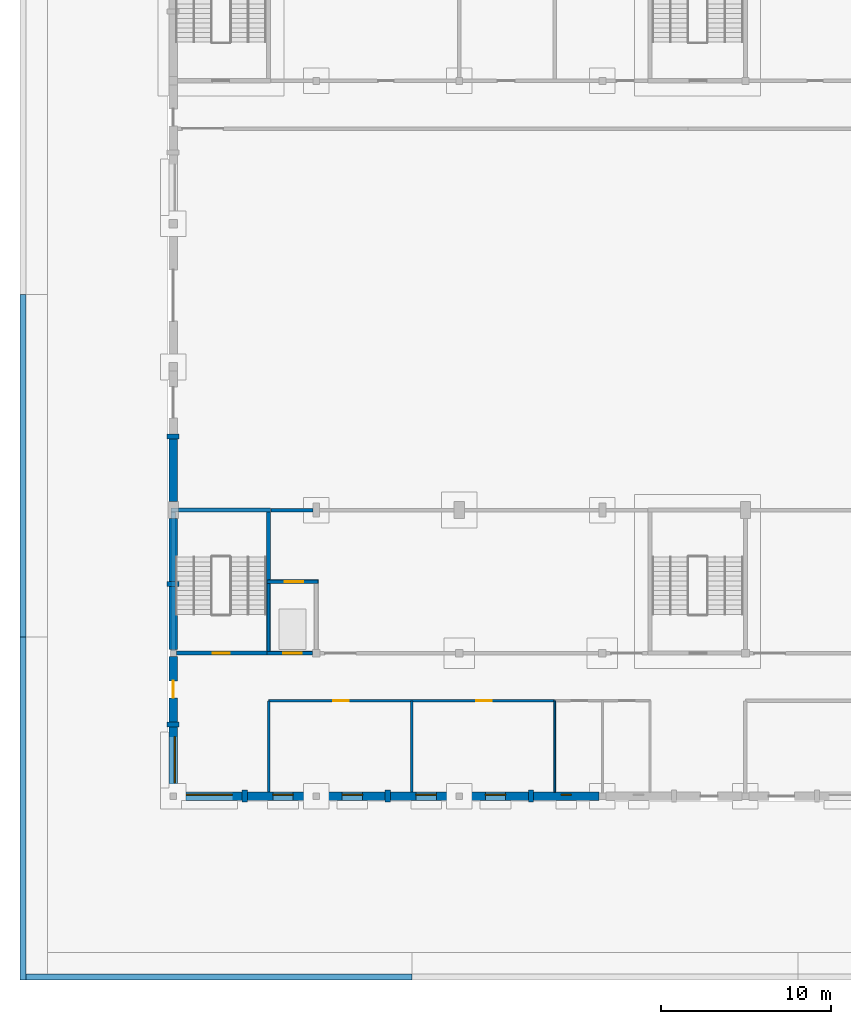
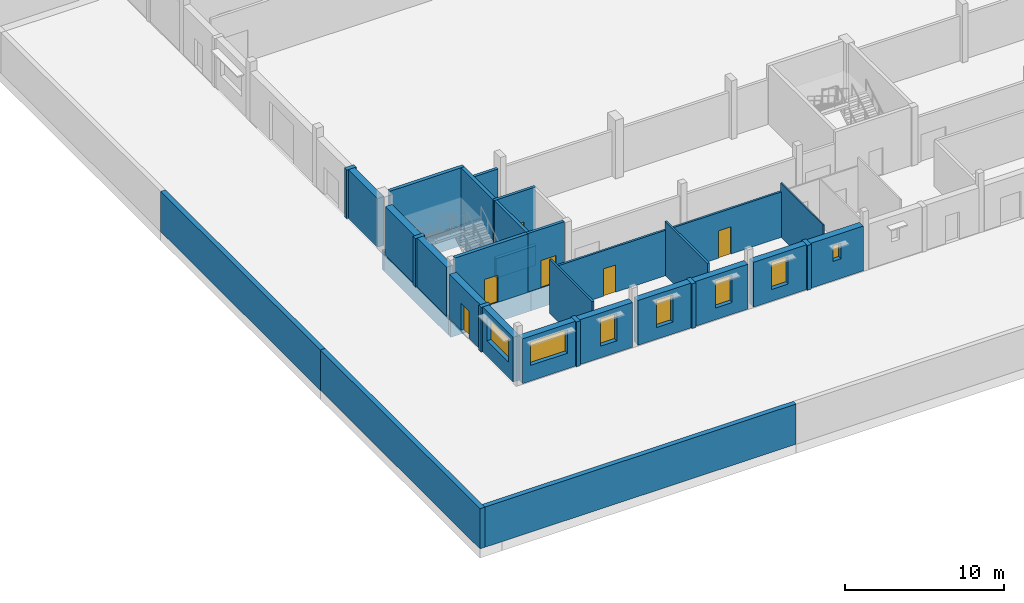
# One storey, part 16 of 36: 37 walls, 7 windows, 6 doors, 13 openings.
"""IFC4 building model written with IfcOpenShell, lengths in metres."""

from ifc_helpers import new_model, si_unit, direction, frame, frame_2d, origin, place, context, subcontext, project, spatial, rectangle, extrude, material, layer, layer_set, type_object, element, fill, save


model = new_model("IFC4")

# Units and contexts
model_context = context("Model", 3, precision=1e-05, world=origin(), true_north=direction((0.0, 1.0)))
body_context = subcontext(model_context, "Body", "Model", "MODEL_VIEW")
ifc_project = project(units=[si_unit("LENGTHUNIT", "METRE"), si_unit("AREAUNIT", "SQUARE_METRE"), si_unit("VOLUMEUNIT", "CUBIC_METRE"), si_unit("PLANEANGLEUNIT", "RADIAN"), si_unit("MASSUNIT", "GRAM", prefix="KILO")], contexts=[model_context])

# Site, building, storey
site_placement = place(None, origin())
site = spatial("IfcSite", under=ifc_project, at=site_placement, CompositionType="ELEMENT")
building_placement = place(site_placement, origin())
building = spatial("IfcBuilding", under=site, at=building_placement, Name="Fescue Hill Polytechnic", CompositionType="ELEMENT")
storey_placement = place(building_placement, origin())
storey = spatial("IfcBuildingStorey", under=building, at=storey_placement, Name="L00", CompositionType="ELEMENT", Elevation=0.0)

# Wall, opening, door
ifc_material_1 = material(Name="Concrete 40 MPa", Category="concrete")
ifc_layer_1 = layer(ifc_material_1, 0.25)
ifc_layer_set_1 = layer_set([ifc_layer_1], Name="Concrete 40 MPa")
wall_type_1 = type_object("IfcWallType", Name="Core wall 250", PredefinedType="SHEAR", material=ifc_layer_set_1)
wall_1_placement = place(storey_placement, frame((0.199951171875, 8.39990234375, 0.0), z_axis=(0.0, 0.0, 1.0), x_axis=(1.0, 0.0, 0.0)))
wall_1 = element("IfcWall", 1, at=wall_1_placement, inside=storey, type_object=wall_type_1, Name="CW-L00-ST-V1-1-11", PredefinedType="SHEAR", context=body_context, shape_type="SweptSolid", body=[
    extrude(rectangle(XDim=5.300048828125, YDim=0.25, at=frame_2d((2.64990234375, 0.0))), origin(), (0.0, 0.0, 1.0), 4.5),
])
opening_1_placement = place(wall_1_placement, frame((2.125, 0.0, 0.0)))
opening_1 = element("IfcOpeningElement", 2, at=opening_1_placement, cuts=wall_1, Name="Opening D0070", PredefinedType="OPENING", context=body_context, shape_type="SweptSolid", body=[
    extrude(rectangle(XDim=1.0, YDim=2.10009765625, at=frame_2d((0.5, 1.050048828125))), frame((0.0, 0.135009765625, 0.0), z_axis=(0.0, -1.0, 0.0), x_axis=(1.0, 0.0, 0.0)), (0.0, 0.0, 1.0), 0.27001953125),
])
ifc_material_2 = material(Name="Steel fire door", Category="steel")
door_type_1 = type_object("IfcDoorType", Name="Door single swing 1000x2100 stair fire rated", OperationType="NOTDEFINED", PredefinedType="DOOR", material=ifc_material_2)
door_1_placement = place(opening_1_placement, origin())
door_1 = element("IfcDoor", 3, at=door_1_placement, inside=storey, type_object=door_type_1, Name="L00 ST-V1-1 stair door", OperationType="SINGLE_SWING_RIGHT", OverallHeight=2.10009765625, OverallWidth=1.0, PredefinedType="DOOR", context=body_context, shape_type="SweptSolid", body=[
    extrude(rectangle(XDim=1.0, YDim=2.10009765625, at=frame_2d((0.5, 1.050048828125))), frame((0.0, 0.02490234375, 0.0), z_axis=(0.0, -1.0, 0.0), x_axis=(1.0, 0.0, 0.0)), (0.0, 0.0, 1.0), 0.050048828125),
])
fill(opening_1, door_1)

# Walls
wall_2_placement = place(storey_placement, frame((0.300048828125, 16.800048828125, 0.0), z_axis=(0.0, 0.0, 1.0), x_axis=(1.0, 0.0, 0.0)))
element("IfcWall", 4, at=wall_2_placement, inside=storey, type_object=wall_type_1, Name="CW-L00-ST-V1-1-21", PredefinedType="SHEAR", context=body_context, shape_type="SweptSolid", body=[
    extrude(rectangle(XDim=5.425048828125, YDim=0.25, at=frame_2d((2.71240234375, 0.0))), origin(), (0.0, 0.0, 1.0), 4.5),
])
wall_3_placement = place(storey_placement, frame((5.60009765625, 12.610107421875, 0.0), z_axis=(0.0, 0.0, 1.0), x_axis=(0.0, 1.0, 0.0)))
element("IfcWall", 5, at=wall_3_placement, inside=storey, type_object=wall_type_1, Name="CW-L00-ST-V1-1-41", PredefinedType="SHEAR", context=body_context, shape_type="SweptSolid", body=[
    extrude(rectangle(XDim=4.06494140625, YDim=0.25, at=frame_2d((2.032470703125, 0.0))), origin(), (0.0, 0.0, 1.0), 4.5),
])
for number, where, z_axis, x_axis, name in (
    (6, (-0.125, 8.39990234375, -1.5), (0.0, 0.0, 1.0), (1.0, 0.0, 0.0), "FW-ST-V1-1-1"),
    (7, (-0.125, 16.800048828125, -1.5), (0.0, 0.0, 1.0), (1.0, 0.0, 0.0), "FW-ST-V1-1-2"),
):
    element("IfcWall", number, at=place(storey_placement, frame(where, z_axis=z_axis, x_axis=x_axis)), inside=storey, type_object=wall_type_1, Name=name, PredefinedType="SHEAR", context=body_context, shape_type="SweptSolid", body=[
        extrude(rectangle(XDim=5.85009765625, YDim=0.25, at=frame_2d((2.925048828125, 0.0))), origin(), (0.0, 0.0, 1.0), 1.5),
    ])
for number, where, z_axis, x_axis, name in (
    (8, (0.0, 8.52490234375, -1.5), (0.0, 0.0, 1.0), (0.0, 1.0, 0.0), "FW-ST-V1-1-3"),
    (9, (5.60009765625, 8.52490234375, -1.5), (0.0, 0.0, 1.0), (0.0, 1.0, 0.0), "FW-ST-V1-1-4"),
):
    element("IfcWall", number, at=place(storey_placement, frame(where, z_axis=z_axis, x_axis=x_axis)), inside=storey, type_object=wall_type_1, Name=name, PredefinedType="SHEAR", context=body_context, shape_type="SweptSolid", body=[
        extrude(rectangle(XDim=8.150146484375, YDim=0.25, at=frame_2d((4.0751953125, 0.0))), origin(), (0.0, 0.0, 1.0), 1.5),
    ])

# Wall, openings, doors
ifc_material_3 = material(Name="Gypsum board partition")
ifc_layer_2 = layer(ifc_material_3, 0.14990234375)
ifc_layer_set_2 = layer_set([ifc_layer_2], Name="Gypsum board partition")
wall_type_2 = type_object("IfcWallType", Name="Corridor wall 150 EI 45", PredefinedType="PARTITIONING", material=ifc_layer_set_2)
wall_4_placement = place(storey_placement, frame((5.60009765625, 5.60009765625, 0.0), z_axis=(0.0, 0.0, 1.0), x_axis=(1.0, 0.0, 0.0)))
wall_4 = element("IfcWall", 10, at=wall_4_placement, inside=storey, type_object=wall_type_2, Name="IW-L00-002", PredefinedType="PARTITIONING", context=body_context, shape_type="SweptSolid", body=[
    extrude(rectangle(XDim=16.7998046875, YDim=0.14990234375, at=frame_2d((8.39990234375, 0.0))), origin(), (0.0, 0.0, 1.0), 3.5),
])
opening_2_placement = place(wall_4_placement, frame((3.800048828125, 0.0, 0.0)))
opening_2 = element("IfcOpeningElement", 11, at=opening_2_placement, cuts=wall_4, Name="Opening D0027", PredefinedType="OPENING", context=body_context, shape_type="SweptSolid", body=[
    extrude(rectangle(XDim=0.89990234375, YDim=2.10009765625, at=frame_2d((0.449951171875, 1.050048828125))), frame((0.0, 0.0849609375, 0.0), z_axis=(0.0, -1.0, 0.0), x_axis=(1.0, 0.0, 0.0)), (0.0, 0.0, 1.0), 0.169921875),
])
opening_3_placement = place(wall_4_placement, frame((12.199951171875, 0.0, 0.0)))
opening_3 = element("IfcOpeningElement", 12, at=opening_3_placement, cuts=wall_4, Name="Opening D0028", PredefinedType="OPENING", context=body_context, shape_type="SweptSolid", body=[
    extrude(rectangle(XDim=0.89990234375, YDim=2.10009765625, at=frame_2d((0.449951171875, 1.050048828125))), frame((0.0, 0.0849609375, 0.0), z_axis=(0.0, -1.0, 0.0), x_axis=(1.0, 0.0, 0.0)), (0.0, 0.0, 1.0), 0.169921875),
])
ifc_material_4 = material(Name="Timber", Category="wood")
door_type_2 = type_object("IfcDoorType", Name="Door single swing 900x2100 FD30S", OperationType="SINGLE_SWING_LEFT", PredefinedType="DOOR", material=ifc_material_4)
door_2_placement = place(opening_2_placement, origin())
door_2 = element("IfcDoor", 13, at=door_2_placement, inside=storey, type_object=door_type_2, Name="Door D0027", OperationType="SINGLE_SWING_LEFT", OverallHeight=2.10009765625, OverallWidth=0.89990234375, PredefinedType="DOOR", context=body_context, shape_type="SweptSolid", body=[
    extrude(rectangle(XDim=0.89990234375, YDim=2.10009765625, at=frame_2d((0.449951171875, 1.050048828125))), frame((0.0, 0.02490234375, 0.0), z_axis=(0.0, -1.0, 0.0), x_axis=(1.0, 0.0, 0.0)), (0.0, 0.0, 1.0), 0.050048828125),
])
fill(opening_2, door_2)
door_3_placement = place(opening_3_placement, origin())
door_3 = element("IfcDoor", 14, at=door_3_placement, inside=storey, type_object=door_type_2, Name="Door D0028", OperationType="SINGLE_SWING_RIGHT", OverallHeight=2.10009765625, OverallWidth=0.89990234375, PredefinedType="DOOR", context=body_context, shape_type="SweptSolid", body=[
    extrude(rectangle(XDim=0.89990234375, YDim=2.10009765625, at=frame_2d((0.449951171875, 1.050048828125))), frame((0.0, 0.02490234375, 0.0), z_axis=(0.0, -1.0, 0.0), x_axis=(1.0, 0.0, 0.0)), (0.0, 0.0, 1.0), 0.050048828125),
])
fill(opening_3, door_3)

# Walls
wall_5_placement = place(storey_placement, frame((5.60009765625, 0.239990234375, 0.0), z_axis=(0.0, 0.0, 1.0), x_axis=(0.0, 1.0, 0.0)))
element("IfcWall", 15, at=wall_5_placement, inside=storey, type_object=wall_type_2, Name="IW-L00-069", PredefinedType="PARTITIONING", context=body_context, shape_type="SweptSolid", body=[
    extrude(rectangle(XDim=5.360107421875, YDim=0.14990234375, at=frame_2d((2.68017578125, 0.0))), origin(), (0.0, 0.0, 1.0), 4.14990234375),
])
ifc_material_5 = material(Name="Clay brick masonry", Category="masonry")
ifc_layer_3 = layer(ifc_material_5, 0.47998046875)
ifc_layer_set_3 = layer_set([ifc_layer_3], Name="Clay brick masonry")
wall_type_3 = type_object("IfcWallType", Name="Exterior wall engineering brick cavity 480", PredefinedType="SOLIDWALL", material=ifc_layer_set_3)
wall_6_placement = place(storey_placement, frame((0.0, 20.97509765625, 0.0), z_axis=(0.0, 0.0, 1.0), x_axis=(0.0, -1.0, 0.0)))
element("IfcWall", 16, at=wall_6_placement, inside=storey, type_object=wall_type_3, Name="EW-L00-V1-18", PredefinedType="SOLIDWALL", context=body_context, shape_type="SweptSolid", body=[
    extrude(rectangle(XDim=3.675048828125, YDim=0.47998046875, at=frame_2d((1.83740234375, 0.0))), origin(), (0.0, 0.0, 1.0), 3.75),
])

# Wall, opening, door
wall_7_placement = place(storey_placement, frame((0.0, 8.199951171875, 0.0), z_axis=(0.0, 0.0, 1.0), x_axis=(0.0, -1.0, 0.0)))
wall_7 = element("IfcWall", 17, at=wall_7_placement, inside=storey, type_object=wall_type_3, Name="EW-L00-V1-21", PredefinedType="SOLIDWALL", context=body_context, shape_type="SweptSolid", body=[
    extrude(rectangle(XDim=3.849853515625, YDim=0.47998046875, at=frame_2d((1.9248046875, 0.0))), origin(), (0.0, 0.0, 1.0), 3.449951171875),
])
opening_4_placement = place(wall_7_placement, frame((2.425048828125, 0.0, 0.0), z_axis=(0.0, 0.0, 1.0), x_axis=(-1.0, 0.0, 0.0)))
opening_4 = element("IfcOpeningElement", 18, at=opening_4_placement, cuts=wall_7, Name="Opening D0008", PredefinedType="OPENING", context=body_context, shape_type="SweptSolid", body=[
    extrude(rectangle(XDim=1.0, YDim=2.10009765625, at=frame_2d((0.5, 1.050048828125))), frame((0.0, 0.25, 0.0), z_axis=(0.0, -1.0, 0.0), x_axis=(1.0, 0.0, 0.0)), (0.0, 0.0, 1.0), 0.5),
])
ifc_material_6 = material(Name="Hollow metal")
door_type_3 = type_object("IfcDoorType", Name="Door exit single 1000x2100 fire rated", OperationType="SINGLE_SWING_LEFT", PredefinedType="DOOR", material=ifc_material_6)
door_4_placement = place(opening_4_placement, origin())
door_4 = element("IfcDoor", 19, at=door_4_placement, inside=storey, type_object=door_type_3, Name="Door D0008", OperationType="SINGLE_SWING_LEFT", OverallHeight=2.10009765625, OverallWidth=1.0, PredefinedType="DOOR", context=body_context, shape_type="SweptSolid", body=[
    extrude(rectangle(XDim=1.0, YDim=2.10009765625, at=frame_2d((0.5, 1.050048828125))), frame((0.0, 0.02490234375, 0.0), z_axis=(0.0, -1.0, 0.0), x_axis=(1.0, 0.0, 0.0)), (0.0, 0.0, 1.0), 0.050048828125),
])
fill(opening_4, door_4)

# Wall, opening, window
wall_8_placement = place(storey_placement, frame((0.0, 4.050048828125, 0.0), z_axis=(0.0, 0.0, 1.0), x_axis=(0.0, -1.0, 0.0)))
wall_8 = element("IfcWall", 20, at=wall_8_placement, inside=storey, type_object=wall_type_3, Name="EW-L00-V1-22", PredefinedType="SOLIDWALL", context=body_context, shape_type="SweptSolid", body=[
    extrude(rectangle(XDim=3.85009765625, YDim=0.47998046875, at=frame_2d((1.925048828125, 0.0))), origin(), (0.0, 0.0, 1.0), 3.449951171875),
])
opening_5_placement = place(wall_8_placement, frame((0.574951171875, 0.0, 1.199951171875)))
opening_5 = element("IfcOpeningElement", 21, at=opening_5_placement, cuts=wall_8, Name="Opening W15", PredefinedType="OPENING", context=body_context, shape_type="SweptSolid", body=[
    extrude(rectangle(XDim=2.699951171875, YDim=1.800048828125, at=frame_2d((1.35009765625, 0.89990234375))), frame((0.0, 0.25, 0.0), z_axis=(0.0, -1.0, 0.0), x_axis=(1.0, 0.0, 0.0)), (0.0, 0.0, 1.0), 0.5),
])
ifc_material_7 = material(Name="Powder-coated aluminium and glass", Category="aluminium")
window_type_1 = type_object("IfcWindowType", Name="Window workshop bench-level 2700x1800", PartitioningType="TRIPLE_PANEL_VERTICAL", PredefinedType="WINDOW", material=ifc_material_7)
window_1_placement = place(opening_5_placement, origin())
window_1 = element("IfcWindow", 22, at=window_1_placement, inside=storey, type_object=window_type_1, Name="WN-L00-V1-5", OverallHeight=1.800048828125, OverallWidth=2.699951171875, PartitioningType="SINGLE_PANEL", PredefinedType="WINDOW", context=body_context, shape_type="SweptSolid", body=[
    extrude(rectangle(XDim=2.699951171875, YDim=1.800048828125, at=frame_2d((1.35009765625, 0.89990234375))), frame((0.0, 0.1201171875, 0.0), z_axis=(0.0, -1.0, 0.0), x_axis=(1.0, 0.0, 0.0)), (0.0, 0.0, 1.0), 0.06005859375),
])
fill(opening_5, window_1)

wall_9_placement = place(storey_placement, frame((0.199951171875, 0.0, 0.0), z_axis=(0.0, 0.0, 1.0), x_axis=(1.0, 0.0, 0.0)))
wall_9 = element("IfcWall", 23, at=wall_9_placement, inside=storey, type_object=wall_type_3, Name="EW-L00-V1-23", PredefinedType="SOLIDWALL", context=body_context, shape_type="SweptSolid", body=[
    extrude(rectangle(XDim=3.85009765625, YDim=0.47998046875, at=frame_2d((1.925048828125, 0.0))), origin(), (0.0, 0.0, 1.0), 3.449951171875),
])
opening_6_placement = place(wall_9_placement, frame((0.574951171875, 0.0, 1.199951171875)))
opening_6 = element("IfcOpeningElement", 24, at=opening_6_placement, cuts=wall_9, Name="Opening W15", PredefinedType="OPENING", context=body_context, shape_type="SweptSolid", body=[
    extrude(rectangle(XDim=2.699951171875, YDim=1.800048828125, at=frame_2d((1.35009765625, 0.89990234375))), frame((0.0, 0.25, 0.0), z_axis=(0.0, -1.0, 0.0), x_axis=(1.0, 0.0, 0.0)), (0.0, 0.0, 1.0), 0.5),
])
window_2_placement = place(opening_6_placement, origin())
window_2 = element("IfcWindow", 25, at=window_2_placement, inside=storey, type_object=window_type_1, Name="WN-L00-V1-6", OverallHeight=1.800048828125, OverallWidth=2.699951171875, PartitioningType="SINGLE_PANEL", PredefinedType="WINDOW", context=body_context, shape_type="SweptSolid", body=[
    extrude(rectangle(XDim=2.699951171875, YDim=1.800048828125, at=frame_2d((1.35009765625, 0.89990234375))), frame((0.0, 0.1201171875, 0.0), z_axis=(0.0, -1.0, 0.0), x_axis=(1.0, 0.0, 0.0)), (0.0, 0.0, 1.0), 0.06005859375),
])
fill(opening_6, window_2)

wall_10_placement = place(storey_placement, frame((4.35009765625, 0.0, 0.0), z_axis=(0.0, 0.0, 1.0), x_axis=(1.0, 0.0, 0.0)))
wall_10 = element("IfcWall", 26, at=wall_10_placement, inside=storey, type_object=wall_type_3, Name="EW-L00-V1-24", PredefinedType="SOLIDWALL", context=body_context, shape_type="SweptSolid", body=[
    extrude(rectangle(XDim=3.849853515625, YDim=0.47998046875, at=frame_2d((1.9248046875, 0.0))), origin(), (0.0, 0.0, 1.0), 3.449951171875),
])
opening_7_placement = place(wall_10_placement, frame((1.5, 0.0, 0.89990234375)))
opening_7 = element("IfcOpeningElement", 27, at=opening_7_placement, cuts=wall_10, Name="Opening W13", PredefinedType="OPENING", context=body_context, shape_type="SweptSolid", body=[
    extrude(rectangle(XDim=1.199951171875, YDim=2.10009765625, at=frame_2d((0.60009765625, 1.050048828125))), frame((0.0, 0.25, 0.0), z_axis=(0.0, -1.0, 0.0), x_axis=(1.0, 0.0, 0.0)), (0.0, 0.0, 1.0), 0.5),
])
window_type_2 = type_object("IfcWindowType", Name="Window cellular office 1200x2100", PartitioningType="SINGLE_PANEL", PredefinedType="WINDOW", material=ifc_material_7)
window_3_placement = place(opening_7_placement, origin())
window_3 = element("IfcWindow", 28, at=window_3_placement, inside=storey, type_object=window_type_2, Name="WN-L00-V1-7", OverallHeight=2.10009765625, OverallWidth=1.199951171875, PartitioningType="SINGLE_PANEL", PredefinedType="WINDOW", context=body_context, shape_type="SweptSolid", body=[
    extrude(rectangle(XDim=1.199951171875, YDim=2.10009765625, at=frame_2d((0.60009765625, 1.050048828125))), frame((0.0, 0.1201171875, 0.0), z_axis=(0.0, -1.0, 0.0), x_axis=(1.0, 0.0, 0.0)), (0.0, 0.0, 1.0), 0.06005859375),
])
fill(opening_7, window_3)

wall_11_placement = place(storey_placement, frame((8.60009765625, 0.0, 0.0), z_axis=(0.0, 0.0, 1.0), x_axis=(1.0, 0.0, 0.0)))
wall_11 = element("IfcWall", 29, at=wall_11_placement, inside=storey, type_object=wall_type_3, Name="EW-L00-V1-25", PredefinedType="SOLIDWALL", context=body_context, shape_type="SweptSolid", body=[
    extrude(rectangle(XDim=3.849853515625, YDim=0.47998046875, at=frame_2d((1.9248046875, 0.0))), origin(), (0.0, 0.0, 1.0), 3.449951171875),
])
opening_8_placement = place(wall_11_placement, frame((1.324951171875, 0.0, 0.89990234375)))
opening_8 = element("IfcOpeningElement", 30, at=opening_8_placement, cuts=wall_11, Name="Opening W13", PredefinedType="OPENING", context=body_context, shape_type="SweptSolid", body=[
    extrude(rectangle(XDim=1.199951171875, YDim=2.10009765625, at=frame_2d((0.60009765625, 1.050048828125))), frame((0.0, 0.25, 0.0), z_axis=(0.0, -1.0, 0.0), x_axis=(1.0, 0.0, 0.0)), (0.0, 0.0, 1.0), 0.5),
])
window_4_placement = place(opening_8_placement, origin())
window_4 = element("IfcWindow", 31, at=window_4_placement, inside=storey, type_object=window_type_2, Name="WN-L00-V1-8", OverallHeight=2.10009765625, OverallWidth=1.199951171875, PartitioningType="SINGLE_PANEL", PredefinedType="WINDOW", context=body_context, shape_type="SweptSolid", body=[
    extrude(rectangle(XDim=1.199951171875, YDim=2.10009765625, at=frame_2d((0.60009765625, 1.050048828125))), frame((0.0, 0.1201171875, 0.0), z_axis=(0.0, -1.0, 0.0), x_axis=(1.0, 0.0, 0.0)), (0.0, 0.0, 1.0), 0.06005859375),
])
fill(opening_8, window_4)

wall_12_placement = place(storey_placement, frame((12.75, 0.0, 0.0), z_axis=(0.0, 0.0, 1.0), x_axis=(1.0, 0.0, 0.0)))
wall_12 = element("IfcWall", 32, at=wall_12_placement, inside=storey, type_object=wall_type_3, Name="EW-L00-V1-26", PredefinedType="SOLIDWALL", context=body_context, shape_type="SweptSolid", body=[
    extrude(rectangle(XDim=3.85009765625, YDim=0.47998046875, at=frame_2d((1.925048828125, 0.0))), origin(), (0.0, 0.0, 1.0), 3.449951171875),
])
opening_9_placement = place(wall_12_placement, frame((1.5, 0.0, 0.89990234375)))
opening_9 = element("IfcOpeningElement", 33, at=opening_9_placement, cuts=wall_12, Name="Opening W13", PredefinedType="OPENING", context=body_context, shape_type="SweptSolid", body=[
    extrude(rectangle(XDim=1.199951171875, YDim=2.10009765625, at=frame_2d((0.60009765625, 1.050048828125))), frame((0.0, 0.25, 0.0), z_axis=(0.0, -1.0, 0.0), x_axis=(1.0, 0.0, 0.0)), (0.0, 0.0, 1.0), 0.5),
])
window_5_placement = place(opening_9_placement, origin())
window_5 = element("IfcWindow", 34, at=window_5_placement, inside=storey, type_object=window_type_2, Name="WN-L00-V1-9", OverallHeight=2.10009765625, OverallWidth=1.199951171875, PartitioningType="SINGLE_PANEL", PredefinedType="WINDOW", context=body_context, shape_type="SweptSolid", body=[
    extrude(rectangle(XDim=1.199951171875, YDim=2.10009765625, at=frame_2d((0.60009765625, 1.050048828125))), frame((0.0, 0.1201171875, 0.0), z_axis=(0.0, -1.0, 0.0), x_axis=(1.0, 0.0, 0.0)), (0.0, 0.0, 1.0), 0.06005859375),
])
fill(opening_9, window_5)

wall_13_placement = place(storey_placement, frame((17.0, 0.0, 0.0), z_axis=(0.0, 0.0, 1.0), x_axis=(1.0, 0.0, 0.0)))
wall_13 = element("IfcWall", 35, at=wall_13_placement, inside=storey, type_object=wall_type_3, Name="EW-L00-V1-27", PredefinedType="SOLIDWALL", context=body_context, shape_type="SweptSolid", body=[
    extrude(rectangle(XDim=3.85009765625, YDim=0.47998046875, at=frame_2d((1.925048828125, 0.0))), origin(), (0.0, 0.0, 1.0), 3.449951171875),
])
opening_10_placement = place(wall_13_placement, frame((1.324951171875, 0.0, 0.89990234375)))
opening_10 = element("IfcOpeningElement", 36, at=opening_10_placement, cuts=wall_13, Name="Opening W13", PredefinedType="OPENING", context=body_context, shape_type="SweptSolid", body=[
    extrude(rectangle(XDim=1.199951171875, YDim=2.10009765625, at=frame_2d((0.60009765625, 1.050048828125))), frame((0.0, 0.25, 0.0), z_axis=(0.0, -1.0, 0.0), x_axis=(1.0, 0.0, 0.0)), (0.0, 0.0, 1.0), 0.5),
])
window_6_placement = place(opening_10_placement, origin())
window_6 = element("IfcWindow", 37, at=window_6_placement, inside=storey, type_object=window_type_2, Name="WN-L00-V1-10", OverallHeight=2.10009765625, OverallWidth=1.199951171875, PartitioningType="SINGLE_PANEL", PredefinedType="WINDOW", context=body_context, shape_type="SweptSolid", body=[
    extrude(rectangle(XDim=1.199951171875, YDim=2.10009765625, at=frame_2d((0.60009765625, 1.050048828125))), frame((0.0, 0.1201171875, 0.0), z_axis=(0.0, -1.0, 0.0), x_axis=(1.0, 0.0, 0.0)), (0.0, 0.0, 1.0), 0.06005859375),
])
fill(opening_10, window_6)

wall_14_placement = place(storey_placement, frame((21.14990234375, 0.0, 0.0), z_axis=(0.0, 0.0, 1.0), x_axis=(1.0, 0.0, 0.0)))
wall_14 = element("IfcWall", 38, at=wall_14_placement, inside=storey, type_object=wall_type_3, Name="EW-L00-V1-28", PredefinedType="SOLIDWALL", context=body_context, shape_type="SweptSolid", body=[
    extrude(rectangle(XDim=3.85009765625, YDim=0.47998046875, at=frame_2d((1.925048828125, 0.0))), origin(), (0.0, 0.0, 1.0), 3.449951171875),
])
opening_11_placement = place(wall_14_placement, frame((1.625, 0.0, 1.5)))
opening_11 = element("IfcOpeningElement", 39, at=opening_11_placement, cuts=wall_14, Name="Opening W11", PredefinedType="OPENING", context=body_context, shape_type="SweptSolid", body=[
    extrude(rectangle(XDim=0.60009765625, YDim=1.199951171875, at=frame_2d((0.300048828125, 0.60009765625))), frame((0.0, 0.25, 0.0), z_axis=(0.0, -1.0, 0.0), x_axis=(1.0, 0.0, 0.0)), (0.0, 0.0, 1.0), 0.5),
])
window_type_3 = type_object("IfcWindowType", Name="Window WC high-level 600x1200", PartitioningType="SINGLE_PANEL", PredefinedType="WINDOW", material=ifc_material_7)
window_7_placement = place(opening_11_placement, origin())
window_7 = element("IfcWindow", 40, at=window_7_placement, inside=storey, type_object=window_type_3, Name="WN-L00-V1-11", OverallHeight=1.199951171875, OverallWidth=0.60009765625, PartitioningType="SINGLE_PANEL", PredefinedType="WINDOW", context=body_context, shape_type="SweptSolid", body=[
    extrude(rectangle(XDim=0.60009765625, YDim=1.199951171875, at=frame_2d((0.300048828125, 0.60009765625))), frame((0.0, 0.1201171875, 0.0), z_axis=(0.0, -1.0, 0.0), x_axis=(1.0, 0.0, 0.0)), (0.0, 0.0, 1.0), 0.06005859375),
])
fill(opening_11, window_7)

# Walls
ifc_layer_4 = layer(ifc_material_5, 0.47998046875)
ifc_layer_set_4 = layer_set([ifc_layer_4], Name="Clay brick masonry")
wall_type_4 = type_object("IfcWallType", Name="Exterior wall engineering brick cavity 480 load-bearing", PredefinedType="SOLIDWALL", material=ifc_layer_set_4)
for number, where, z_axis, x_axis, name in (
    (41, (0.0, 16.300048828125, 0.0), (0.0, 0.0, 1.0), (0.0, -1.0, 0.0), "EW-L00-V1-19"),
    (42, (0.0, 12.300048828125, 0.0), (0.0, 0.0, 1.0), (0.0, -1.0, 0.0), "EW-L00-V1-20"),
):
    element("IfcWall", number, at=place(storey_placement, frame(where, z_axis=z_axis, x_axis=x_axis)), inside=storey, type_object=wall_type_4, Name=name, PredefinedType="SOLIDWALL", context=body_context, shape_type="SweptSolid", body=[
        extrude(rectangle(XDim=3.699951171875, YDim=0.47998046875, at=frame_2d((1.85009765625, 0.0))), origin(), (0.0, 0.0, 1.0), 3.75),
    ])
ifc_layer_5 = layer(ifc_material_1, 0.699951171875)
ifc_layer_set_5 = layer_set([ifc_layer_5], Name="Concrete 40 MPa")
wall_type_5 = type_object("IfcWallType", Name="Fin wall board-marked 300x700", PredefinedType="SOLIDWALL", material=ifc_layer_set_5)
wall_15_placement = place(storey_placement, frame((0.0, 21.27490234375, 0.0), z_axis=(0.0, 0.0, 1.0), x_axis=(0.0, -1.0, 0.0)))
element("IfcWall", 43, at=wall_15_placement, inside=storey, type_object=wall_type_5, Name="PR-L00-V1-8", PredefinedType="SOLIDWALL", context=body_context, shape_type="SweptSolid", body=[
    extrude(rectangle(XDim=0.2998046875, YDim=0.699951171875, at=frame_2d((0.14990234375, 0.0))), origin(), (0.0, 0.0, 1.0), 3.75),
])
for number, where, z_axis, x_axis, name in (
    (44, (0.0, 4.35009765625, 0.0), (0.0, 0.0, 1.0), (0.0, -1.0, 0.0), "PR-L00-V1-10"),
    (45, (4.050048828125, 0.0, 0.0), (0.0, 0.0, 1.0), (1.0, 0.0, 0.0), "PR-L00-V1-11"),
    (46, (12.449951171875, 0.0, 0.0), (0.0, 0.0, 1.0), (1.0, 0.0, 0.0), "PR-L00-V1-12"),
):
    element("IfcWall", number, at=place(storey_placement, frame(where, z_axis=z_axis, x_axis=x_axis)), inside=storey, type_object=wall_type_5, Name=name, PredefinedType="SOLIDWALL", context=body_context, shape_type="SweptSolid", body=[
        extrude(rectangle(XDim=0.300048828125, YDim=0.699951171875, at=frame_2d((0.14990234375, 0.0))), origin(), (0.0, 0.0, 1.0), 3.449951171875),
    ])
wall_16_placement = place(storey_placement, frame((20.85009765625, 0.0, 0.0), z_axis=(0.0, 0.0, 1.0), x_axis=(1.0, 0.0, 0.0)))
element("IfcWall", 47, at=wall_16_placement, inside=storey, type_object=wall_type_5, Name="PR-L00-V1-13", PredefinedType="SOLIDWALL", context=body_context, shape_type="SweptSolid", body=[
    extrude(rectangle(XDim=0.2998046875, YDim=0.699951171875, at=frame_2d((0.14990234375, 0.0))), origin(), (0.0, 0.0, 1.0), 3.449951171875),
])
ifc_layer_6 = layer(ifc_material_1, 0.699951171875)
ifc_layer_set_6 = layer_set([ifc_layer_6], Name="Concrete 40 MPa")
wall_type_6 = type_object("IfcWallType", Name="Fin wall board-marked 300x700 load-bearing", PredefinedType="SOLIDWALL", material=ifc_layer_set_6)
wall_17_placement = place(storey_placement, frame((0.0, 12.60009765625, 0.0), z_axis=(0.0, 0.0, 1.0), x_axis=(0.0, -1.0, 0.0)))
element("IfcWall", 48, at=wall_17_placement, inside=storey, type_object=wall_type_6, Name="PR-L00-V1-9", PredefinedType="SOLIDWALL", context=body_context, shape_type="SweptSolid", body=[
    extrude(rectangle(XDim=0.300048828125, YDim=0.699951171875, at=frame_2d((0.14990234375, 0.0))), origin(), (0.0, 0.0, 1.0), 3.75),
])
ifc_layer_7 = layer(ifc_material_1, 0.25)
ifc_layer_set_7 = layer_set([ifc_layer_7], Name="Concrete 40 MPa")
wall_type_7 = type_object("IfcWallType", Name="Lift pit wall 250", PredefinedType="SHEAR", material=ifc_layer_set_7)
wall_18_placement = place(storey_placement, frame((5.72509765625, 8.39990234375, -1.5), z_axis=(0.0, 0.0, 1.0), x_axis=(1.0, 0.0, 0.0)))
element("IfcWall", 49, at=wall_18_placement, inside=storey, type_object=wall_type_7, Name="PW-L00-LF-V1-1-1", PredefinedType="SHEAR", context=body_context, shape_type="SweptSolid", body=[
    extrude(rectangle(XDim=2.7998046875, YDim=0.25, at=frame_2d((1.39990234375, 0.0))), origin(), (0.0, 0.0, 1.0), 1.5),
])
wall_19_placement = place(storey_placement, frame((5.610107421875, 12.60009765625, -1.5), z_axis=(0.0, 0.0, 1.0), x_axis=(1.0, 0.0, 0.0)))
element("IfcWall", 50, at=wall_19_placement, inside=storey, type_object=wall_type_7, Name="PW-L00-LF-V1-1-2", PredefinedType="SHEAR", context=body_context, shape_type="SweptSolid", body=[
    extrude(rectangle(XDim=2.914794921875, YDim=0.25, at=frame_2d((1.45751953125, 0.0))), origin(), (0.0, 0.0, 1.0), 1.5),
])

# Wall, opening, door
ifc_layer_8 = layer(ifc_material_1, 0.199951171875)
ifc_layer_set_8 = layer_set([ifc_layer_8], Name="Concrete 40 MPa")
wall_type_8 = type_object("IfcWallType", Name="Lift shaft wall 200", PredefinedType="SHEAR", material=ifc_layer_set_8)
wall_20_placement = place(storey_placement, frame((5.5, 8.39990234375, 0.0), z_axis=(0.0, 0.0, 1.0), x_axis=(1.0, 0.0, 0.0)))
wall_20 = element("IfcWall", 51, at=wall_20_placement, inside=storey, type_object=wall_type_8, Name="CW-L00-LF-V1-1-11", PredefinedType="SHEAR", context=body_context, shape_type="SweptSolid", body=[
    extrude(rectangle(XDim=2.675048828125, YDim=0.199951171875, at=frame_2d((1.33740234375, 0.0))), origin(), (0.0, 0.0, 1.0), 4.5),
])
opening_12_placement = place(wall_20_placement, frame((0.949951171875, 0.0, 0.0)))
opening_12 = element("IfcOpeningElement", 52, at=opening_12_placement, cuts=wall_20, Name="Opening LD1-L00", PredefinedType="OPENING", context=body_context, shape_type="SweptSolid", body=[
    extrude(rectangle(XDim=1.10009765625, YDim=2.10009765625, at=frame_2d((0.550048828125, 1.050048828125))), frame((0.0, 0.10986328125, 0.0), z_axis=(0.0, -1.0, 0.0), x_axis=(1.0, 0.0, 0.0)), (0.0, 0.0, 1.0), 0.219970703125),
])
ifc_material_8 = material(Name="Stainless steel", Category="steel")
door_type_4 = type_object("IfcDoorType", Name="Lift landing door sliding 1100x2100", OperationType="SLIDING_TO_LEFT", PredefinedType="DOOR", material=ifc_material_8)
door_5_placement = place(opening_12_placement, origin())
door_5 = element("IfcDoor", 53, at=door_5_placement, inside=storey, type_object=door_type_4, Name="L00 LF-V1-1 lift landing door", OperationType="SLIDING_TO_RIGHT", OverallHeight=2.10009765625, OverallWidth=1.10009765625, PredefinedType="DOOR", context=body_context, shape_type="SweptSolid", body=[
    extrude(rectangle(XDim=1.10009765625, YDim=2.10009765625, at=frame_2d((0.550048828125, 1.050048828125))), frame((0.0, 0.02490234375, 0.0), z_axis=(0.0, -1.0, 0.0), x_axis=(1.0, 0.0, 0.0)), (0.0, 0.0, 1.0), 0.050048828125),
])
fill(opening_12, door_5)

wall_21_placement = place(storey_placement, frame((5.5, 12.60009765625, 0.0), z_axis=(0.0, 0.0, 1.0), x_axis=(1.0, 0.0, 0.0)))
wall_21 = element("IfcWall", 54, at=wall_21_placement, inside=storey, type_object=wall_type_8, Name="CW-L00-LF-V1-1-21", PredefinedType="SHEAR", context=body_context, shape_type="SweptSolid", body=[
    extrude(rectangle(XDim=3.0, YDim=0.199951171875, at=frame_2d((1.5, 0.0))), origin(), (0.0, 0.0, 1.0), 4.5),
])
opening_13_placement = place(wall_21_placement, frame((1.050048828125, 0.0, 0.0)))
opening_13 = element("IfcOpeningElement", 55, at=opening_13_placement, cuts=wall_21, Name="Opening LD1-L00N", PredefinedType="OPENING", context=body_context, shape_type="SweptSolid", body=[
    extrude(rectangle(XDim=1.10009765625, YDim=2.10009765625, at=frame_2d((0.550048828125, 1.050048828125))), frame((0.0, 0.10986328125, 0.0), z_axis=(0.0, -1.0, 0.0), x_axis=(1.0, 0.0, 0.0)), (0.0, 0.0, 1.0), 0.219970703125),
])
door_6_placement = place(opening_13_placement, origin())
door_6 = element("IfcDoor", 56, at=door_6_placement, inside=storey, type_object=door_type_4, Name="L00 LF-V1-1 lift landing door", OperationType="SLIDING_TO_LEFT", OverallHeight=2.10009765625, OverallWidth=1.10009765625, PredefinedType="DOOR", context=body_context, shape_type="SweptSolid", body=[
    extrude(rectangle(XDim=1.10009765625, YDim=2.10009765625, at=frame_2d((0.550048828125, 1.050048828125))), frame((0.0, 0.02490234375, 0.0), z_axis=(0.0, -1.0, 0.0), x_axis=(1.0, 0.0, 0.0)), (0.0, 0.0, 1.0), 0.050048828125),
])
fill(opening_13, door_6)

# Walls
wall_22_placement = place(storey_placement, frame((5.60009765625, 8.5, 0.0), z_axis=(0.0, 0.0, 1.0), x_axis=(0.0, 1.0, 0.0)))
element("IfcWall", 57, at=wall_22_placement, inside=storey, type_object=wall_type_8, Name="CW-L00-LF-V1-1-31", PredefinedType="SHEAR", context=body_context, shape_type="SweptSolid", body=[
    extrude(rectangle(XDim=4.0, YDim=0.199951171875, at=frame_2d((2.0, 0.0))), origin(), (0.0, 0.0, 1.0), 4.5),
])
ifc_layer_9 = layer(ifc_material_3, 0.14990234375)
ifc_layer_set_9 = layer_set([ifc_layer_9], Name="Gypsum board partition")
wall_type_9 = type_object("IfcWallType", Name="Partition stud 150 acoustic", PredefinedType="PARTITIONING", material=ifc_layer_set_9)
wall_23_placement = place(storey_placement, frame((14.0, 0.239990234375, 0.0), z_axis=(0.0, 0.0, 1.0), x_axis=(0.0, 1.0, 0.0)))
element("IfcWall", 58, at=wall_23_placement, inside=storey, type_object=wall_type_9, Name="IW-L00-070", PredefinedType="PARTITIONING", context=body_context, shape_type="SweptSolid", body=[
    extrude(rectangle(XDim=5.360107421875, YDim=0.14990234375, at=frame_2d((2.68017578125, 0.0))), origin(), (0.0, 0.0, 1.0), 4.14990234375),
])
ifc_material_9 = material(Name="Concrete 35 MPa", Category="concrete")
ifc_layer_10 = layer(ifc_material_9, 0.35009765625)
ifc_layer_set_10 = layer_set([ifc_layer_10], Name="Concrete 35 MPa")
wall_type_10 = type_object("IfcWallType", Name="Retaining wall 350", PredefinedType="SOLIDWALL", material=ifc_layer_set_10)
wall_24_placement = place(storey_placement, frame((-8.818115234375, -10.79296875, -3.10009765625), z_axis=(0.0, 0.0, 1.0), x_axis=(0.0, 1.0, 0.0)))
element("IfcWall", 59, at=wall_24_placement, inside=storey, type_object=wall_type_10, Name="RT-PW01", PredefinedType="SOLIDWALL", context=body_context, shape_type="SweptSolid", body=[
    extrude(rectangle(XDim=20.130859375, YDim=0.35009765625, at=frame_2d((10.0654296875, 0.0))), origin(), (0.0, 0.0, 1.0), 3.10009765625),
])
wall_25_placement = place(storey_placement, frame((-8.818115234375, 9.337890625, -3.10009765625), z_axis=(0.0, 0.0, 1.0), x_axis=(0.0, 1.0, 0.0)))
element("IfcWall", 60, at=wall_25_placement, inside=storey, type_object=wall_type_10, Name="RT-PW02", PredefinedType="SOLIDWALL", context=body_context, shape_type="SweptSolid", body=[
    extrude(rectangle(XDim=20.131103515625, YDim=0.35009765625, at=frame_2d((10.0654296875, 0.0))), origin(), (0.0, 0.0, 1.0), 3.10009765625),
])
wall_26_placement = place(storey_placement, frame((-8.64306640625, -10.617919921875, -3.10009765625), z_axis=(0.0, 0.0, 1.0), x_axis=(1.0, 0.0, 0.0)))
element("IfcWall", 61, at=wall_26_placement, inside=storey, type_object=wall_type_10, Name="RT-PW31", PredefinedType="SOLIDWALL", context=body_context, shape_type="SweptSolid", body=[
    extrude(rectangle(XDim=22.66064453125, YDim=0.35009765625, at=frame_2d((11.330322265625, 0.0))), origin(), (0.0, 0.0, 1.0), 3.10009765625),
])
ifc_layer_11 = layer(ifc_material_3, 0.10009765625)
ifc_layer_set_11 = layer_set([ifc_layer_11], Name="Gypsum board partition")
wall_type_11 = type_object("IfcWallType", Name="WC partition 100 moisture resistant", PredefinedType="PARTITIONING", material=ifc_layer_set_11)
wall_27_placement = place(storey_placement, frame((22.39990234375, 0.239990234375, 0.0), z_axis=(0.0, 0.0, 1.0), x_axis=(0.0, 1.0, 0.0)))
element("IfcWall", 62, at=wall_27_placement, inside=storey, type_object=wall_type_11, Name="IW-L00-073", PredefinedType="PARTITIONING", context=body_context, shape_type="SweptSolid", body=[
    extrude(rectangle(XDim=5.360107421875, YDim=0.10009765625, at=frame_2d((2.68017578125, 0.0))), origin(), (0.0, 0.0, 1.0), 4.14990234375),
])
ifc_material_10 = material(Name="Concrete masonry block 15 MPa", Category="masonry")
ifc_layer_12 = layer(ifc_material_10, 0.199951171875)
ifc_layer_set_12 = layer_set([ifc_layer_12], Name="Concrete masonry block 15 MPa")
wall_type_12 = type_object("IfcWallType", Name="Workshop wall 200 block EI 60", PredefinedType="PARTITIONING", material=ifc_layer_set_12)
wall_28_placement = place(storey_placement, frame((5.75, 16.800048828125, 0.0), z_axis=(0.0, 0.0, 1.0), x_axis=(1.0, 0.0, 0.0)))
element("IfcWall", 63, at=wall_28_placement, inside=storey, type_object=wall_type_12, Name="IW-L00-025", PredefinedType="PARTITIONING", context=body_context, shape_type="SweptSolid", body=[
    extrude(rectangle(XDim=2.449951171875, YDim=0.199951171875, at=frame_2d((1.22509765625, 0.0))), origin(), (0.0, 0.0, 1.0), 3.449951171875),
])

save(model, "model.ifc")
